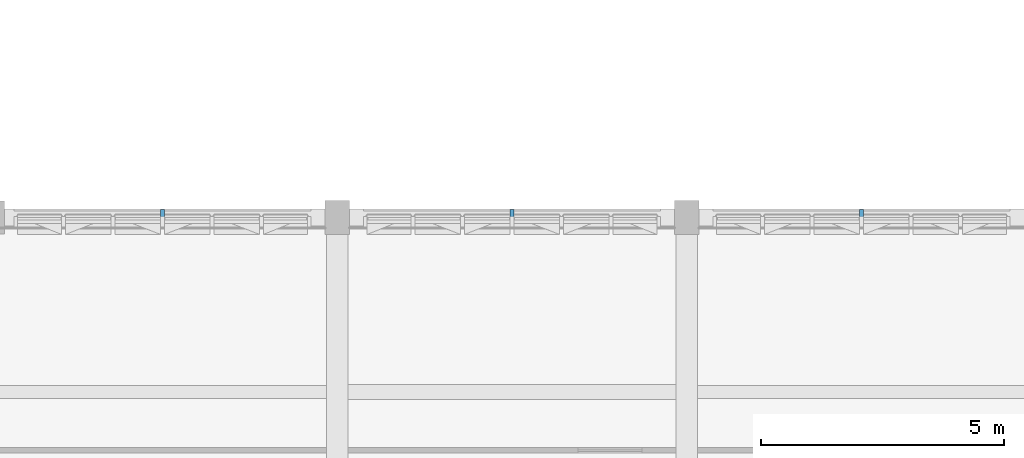
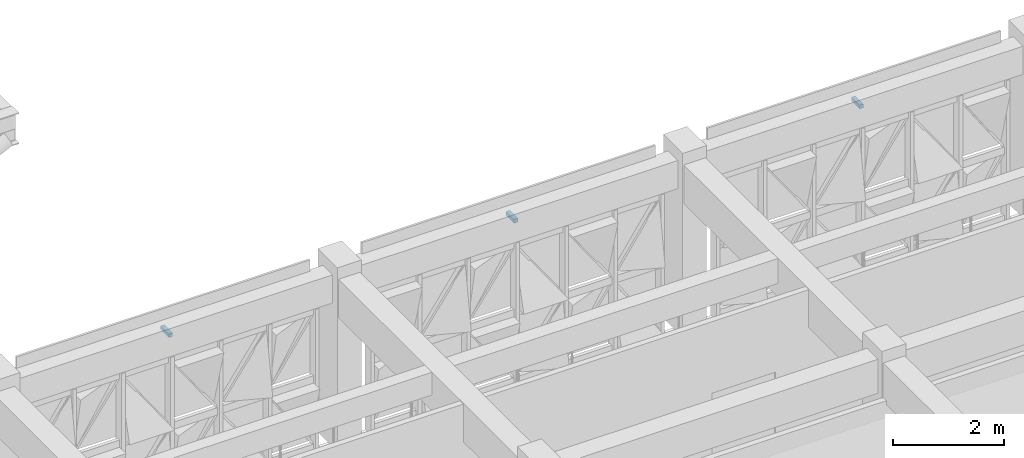
# One storey, part 60 of 88: 3 discrete accessories.
"""IFC4 building model written with IfcOpenShell, lengths in metres."""

from ifc_helpers import new_model, si_unit, direction, frame, origin, origin_2d, place, context, subcontext, project, spatial, rectangle, extrude, material, type_object, element, save


model = new_model("IFC4")

# Units and contexts
model_context = context("Model", 3, precision=1e-05, world=origin(), true_north=direction((0.0, 1.0)))
body_context = subcontext(model_context, "Body", "Model", "MODEL_VIEW")
ifc_project = project(units=[si_unit("LENGTHUNIT", "METRE"), si_unit("AREAUNIT", "SQUARE_METRE"), si_unit("VOLUMEUNIT", "CUBIC_METRE"), si_unit("PLANEANGLEUNIT", "RADIAN"), si_unit("MASSUNIT", "GRAM", prefix="KILO")], contexts=[model_context])

# Site, building, storey
site_placement = place(None, origin())
site = spatial("IfcSite", under=ifc_project, at=site_placement, CompositionType="ELEMENT")
building_placement = place(site_placement, origin())
building = spatial("IfcBuilding", under=site, at=building_placement, Name="Alvorim Cloister Faculty of Sciences", CompositionType="ELEMENT")
storey_placement = place(building_placement, frame((0.0, 0.0, 4.5)))
storey = spatial("IfcBuildingStorey", under=building, at=storey_placement, Name="L01", CompositionType="ELEMENT", Elevation=4.5)

# Discrete accessories
ifc_material = material(Name="Aluminium Alloy 6063-T6", Category="aluminium")
discrete_accessory_type = type_object("IfcDiscreteAccessoryType", Name="ACC-DIAG-BAR", PredefinedType="BRACKET", material=ifc_material)
for number, where, z_axis, x_axis, name in (
    (1, (32.39990234375, 14.260009765625, 3.610107421875), (0.0, 1.0, 0.0), (-1.0, 0.0, 0.0), "Slab-Edge Fascia Tie Bracket ACC-00265"),
    (2, (39.60009765625, 14.260009765625, 3.610107421875), (0.0, 1.0, 0.0), (-1.0, 0.0, 0.0), "Slab-Edge Fascia Tie Bracket ACC-00278"),
    (3, (46.800048828125, 14.260009765625, 3.610107421875), (0.0, 1.0, 0.0), (-1.0, 0.0, 0.0), "Slab-Edge Fascia Tie Bracket ACC-00291"),
):
    element("IfcDiscreteAccessory", number, at=place(storey_placement, frame(where, z_axis=z_axis, x_axis=x_axis)), inside=storey, type_object=discrete_accessory_type, Name=name, PredefinedType="BRACKET", context=body_context, shape_type="SweptSolid", body=[
        extrude(rectangle(XDim=0.080078125, YDim=0.080078125, at=origin_2d()), origin(), (0.0, 0.0, 1.0), 0.300048828125),
    ])

save(model, "model.ifc")
